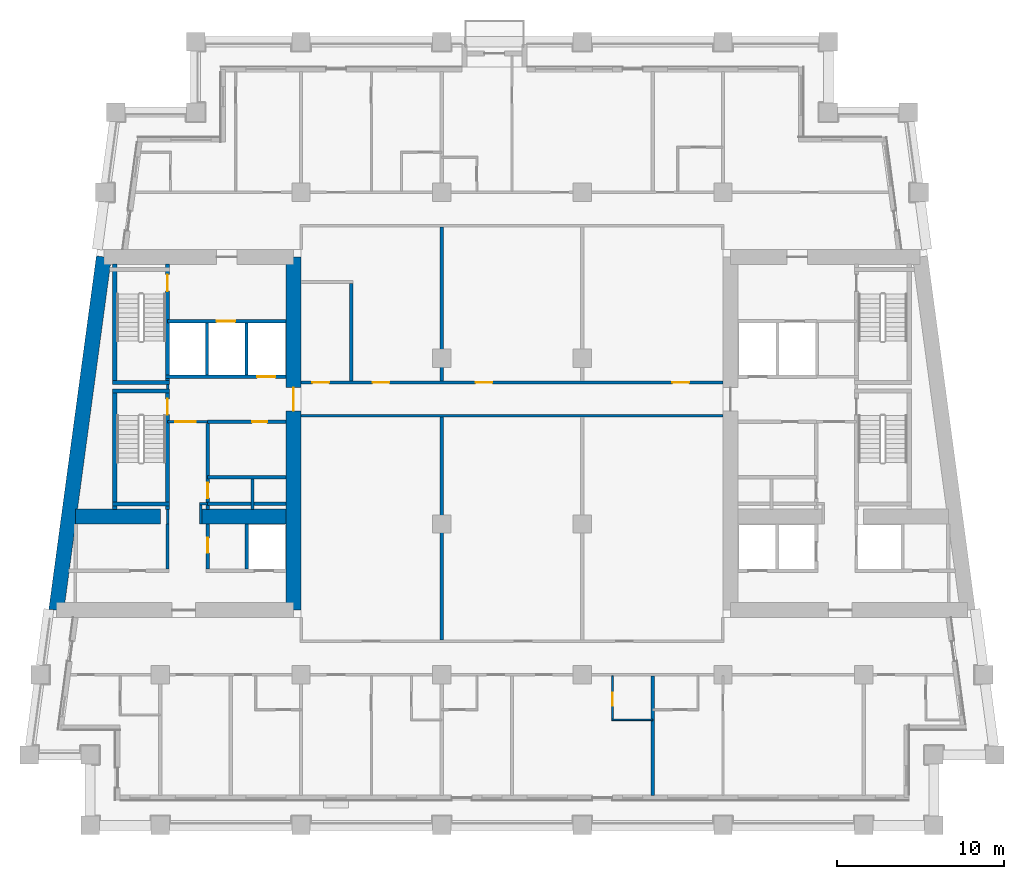
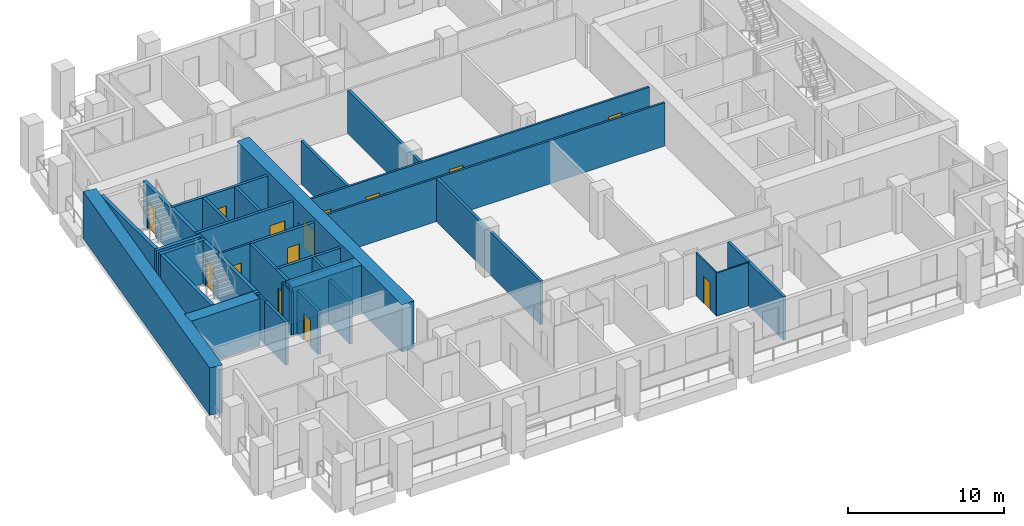
# One storey, part 4 of 13: 36 walls, 14 doors, 14 openings.
"""IFC4 building model written with IfcOpenShell, lengths in metres."""

from ifc_helpers import new_model, si_unit, direction, frame, frame_2d, origin, place, context, subcontext, project, spatial, rectangle, extrude, material, layer, layer_set, type_object, element, fill, save


model = new_model("IFC4")

# Units and contexts
model_context = context("Model", 3, precision=1e-05, world=origin(), true_north=direction((0.0, 1.0)))
body_context = subcontext(model_context, "Body", "Model", "MODEL_VIEW")
ifc_project = project(units=[si_unit("LENGTHUNIT", "METRE"), si_unit("AREAUNIT", "SQUARE_METRE"), si_unit("VOLUMEUNIT", "CUBIC_METRE"), si_unit("PLANEANGLEUNIT", "RADIAN"), si_unit("MASSUNIT", "GRAM", prefix="KILO")], contexts=[model_context])

# Site, building, storey
site_placement = place(None, origin())
site = spatial("IfcSite", under=ifc_project, at=site_placement, CompositionType="ELEMENT")
building_placement = place(site_placement, origin())
building = spatial("IfcBuilding", under=site, at=building_placement, Name="Candeia Pilgrim Tower and Theatre", CompositionType="ELEMENT")
storey_placement = place(building_placement, frame((0.0, 0.0, 170.0)))
storey = spatial("IfcBuildingStorey", under=building, at=storey_placement, Name="L40", CompositionType="ELEMENT", Elevation=170.0)

# Wall, opening, door
ifc_material_1 = material(Name="Concrete C60/75", Category="concrete")
ifc_layer_1 = layer(ifc_material_1, 0.89990234375)
ifc_layer_set_1 = layer_set([ifc_layer_1], Name="Core wall 900 C60/75")
wall_type_1 = type_object("IfcWallType", Name="Core wall 900 C60/75", PredefinedType="SHEAR", material=ifc_layer_set_1)
wall_1_placement = place(storey_placement, frame((100.35009765625, 131.949951171875, 0.0), z_axis=(0.0, 0.0, 1.0), x_axis=(0.0, -1.0, 0.0)))
wall_1 = element("IfcWall", 1, at=wall_1_placement, inside=storey, type_object=wall_type_1, Name="Core wall W2", PredefinedType="SHEAR", context=body_context, shape_type="SweptSolid", body=[
    extrude(rectangle(XDim=21.099853515625, YDim=0.89990234375, at=frame_2d((10.5498046875, 0.0))), origin(), (0.0, 0.0, 1.0), 3.699951171875),
])
opening_1_placement = place(wall_1_placement, frame((7.800048828125, 0.0, 0.0)))
opening_1 = element("IfcOpeningElement", 2, at=opening_1_placement, cuts=wall_1, Name="Opening L40-D052", PredefinedType="OPENING", context=body_context, shape_type="SweptSolid", body=[
    extrude(rectangle(XDim=1.39990234375, YDim=2.10009765625, at=frame_2d((0.699951171875, 1.050048828125))), frame((0.0, 0.4599609375, 0.0), z_axis=(0.0, -1.0, 0.0), x_axis=(1.0, 0.0, 0.0)), (0.0, 0.0, 1.0), 0.919921875),
])
ifc_material_2 = material(Name="Steel fire door set", Category="steel")
door_type_1 = type_object("IfcDoorType", Name="D-1400-FD60", OperationType="NOTDEFINED", PredefinedType="DOOR", material=ifc_material_2)
door_1_placement = place(opening_1_placement, origin())
door_1 = element("IfcDoor", 3, at=door_1_placement, inside=storey, type_object=door_type_1, Name="Door L40-D052", OperationType="SINGLE_SWING_RIGHT", OverallHeight=2.10009765625, OverallWidth=1.39990234375, PredefinedType="DOOR", context=body_context, shape_type="SweptSolid", body=[
    extrude(rectangle(XDim=1.39990234375, YDim=2.10009765625, at=frame_2d((0.699951171875, 1.050048828125))), frame((0.0, 0.02490234375, 0.0), z_axis=(0.0, -1.0, 0.0), x_axis=(1.0, 0.0, 0.0)), (0.0, 0.0, 1.0), 0.050048828125),
])
fill(opening_1, door_1)

# Walls
wall_2_placement = place(storey_placement, frame((86.183837890625, 110.85009765625, 0.0), z_axis=(0.0, 0.0, 1.0), x_axis=(0.133410495943, 0.991060865725, 0.0)))
element("IfcWall", 4, at=wall_2_placement, inside=storey, type_object=wall_type_1, Name="Core wall W4", PredefinedType="SHEAR", context=body_context, shape_type="SweptSolid", body=[
    extrude(rectangle(XDim=21.290283203125, YDim=0.89990234375, at=frame_2d((10.64501953125, 0.0))), origin(), (0.0, 0.0, 1.0), 3.699951171875),
])
wall_3_placement = place(storey_placement, frame((87.322998046875, 116.449951171875, 0.0), z_axis=(0.0, 0.0, 1.0), x_axis=(1.0, 0.0, 0.0)))
element("IfcWall", 5, at=wall_3_placement, inside=storey, type_object=wall_type_1, Name="Core wall W5", PredefinedType="SHEAR", context=body_context, shape_type="SweptSolid", body=[
    extrude(rectangle(XDim=5.076904296875, YDim=0.89990234375, at=frame_2d((2.53857421875, 0.0))), origin(), (0.0, 0.0, 1.0), 3.699951171875),
])
wall_4_placement = place(storey_placement, frame((94.800048828125, 116.449951171875, 0.0), z_axis=(0.0, 0.0, 1.0), x_axis=(1.0, 0.0, 0.0)))
element("IfcWall", 6, at=wall_4_placement, inside=storey, type_object=wall_type_1, Name="Core wall W6", PredefinedType="SHEAR", context=body_context, shape_type="SweptSolid", body=[
    extrude(rectangle(XDim=5.099853515625, YDim=0.89990234375, at=frame_2d((2.5498046875, 0.0))), origin(), (0.0, 0.0, 1.0), 3.699951171875),
])
ifc_material_3 = material(Name="Gypsum board partition on steel studs", Category="steel")
ifc_layer_2 = layer(ifc_material_3, 0.10009765625)
ifc_layer_set_2 = layer_set([ifc_layer_2], Name="PW-100 room partition")
wall_type_2 = type_object("IfcWallType", Name="PW-100 room partition", PredefinedType="PARTITIONING", material=ifc_layer_set_2)
wall_5_placement = place(storey_placement, frame((119.35009765625, 104.300048828125, 0.0), z_axis=(0.0, 0.0, 1.0), x_axis=(1.0, 0.0, 0.0)))
element("IfcWall", 7, at=wall_5_placement, inside=storey, type_object=wall_type_2, Name="Room partition L40-002", PredefinedType="PARTITIONING", context=body_context, shape_type="SweptSolid", body=[
    extrude(rectangle(XDim=2.449951171875, YDim=0.10009765625, at=frame_2d((1.22509765625, 0.0))), origin(), (0.0, 0.0, 1.0), 3.3798828125),
])

# Wall, opening, door
wall_6_placement = place(storey_placement, frame((119.39990234375, 104.35009765625, 0.0), z_axis=(0.0, 0.0, 1.0), x_axis=(0.0, 1.0, 0.0)))
wall_6 = element("IfcWall", 8, at=wall_6_placement, inside=storey, type_object=wall_type_2, Name="Room partition L40-088", PredefinedType="PARTITIONING", context=body_context, shape_type="SweptSolid", body=[
    extrude(rectangle(XDim=2.574951171875, YDim=0.10009765625, at=frame_2d((1.28759765625, 0.0))), origin(), (0.0, 0.0, 1.0), 3.3798828125),
])
opening_2_placement = place(wall_6_placement, frame((0.780029296875, 0.0, 0.0)))
opening_2 = element("IfcOpeningElement", 9, at=opening_2_placement, cuts=wall_6, Name="Opening L40-D025", PredefinedType="OPENING", context=body_context, shape_type="SweptSolid", body=[
    extrude(rectangle(XDim=0.800048828125, YDim=2.10009765625, at=frame_2d((0.39990234375, 1.050048828125))), frame((0.0, 0.06005859375, 0.0), z_axis=(0.0, -1.0, 0.0), x_axis=(1.0, 0.0, 0.0)), (0.0, 0.0, 1.0), 0.1201171875),
])
ifc_material_4 = material(Name="Timber door leaf", Category="wood")
door_type_2 = type_object("IfcDoorType", Name="D-800", OperationType="NOTDEFINED", PredefinedType="DOOR", material=ifc_material_4)
door_2_placement = place(opening_2_placement, origin())
door_2 = element("IfcDoor", 10, at=door_2_placement, inside=storey, type_object=door_type_2, Name="Door L40-D025", OperationType="SINGLE_SWING_LEFT", OverallHeight=2.10009765625, OverallWidth=0.800048828125, PredefinedType="DOOR", context=body_context, shape_type="SweptSolid", body=[
    extrude(rectangle(XDim=0.800048828125, YDim=2.10009765625, at=frame_2d((0.39990234375, 1.050048828125))), frame((0.0, 0.02490234375, 0.0), z_axis=(0.0, -1.0, 0.0), x_axis=(1.0, 0.0, 0.0)), (0.0, 0.0, 1.0), 0.050048828125),
])
fill(opening_2, door_2)

# Wall
ifc_layer_3 = layer(ifc_material_3, 0.14990234375)
ifc_layer_set_3 = layer_set([ifc_layer_3], Name="PW-150 lobby wall")
wall_type_3 = type_object("IfcWallType", Name="PW-150 lobby wall", PredefinedType="PARTITIONING", material=ifc_layer_set_3)
wall_7_placement = place(storey_placement, frame((94.72509765625, 117.199951171875, 0.0), z_axis=(0.0, 0.0, 1.0), x_axis=(1.0, 0.0, 0.0)))
element("IfcWall", 11, at=wall_7_placement, inside=storey, type_object=wall_type_3, Name="Lobby wall L40-016", PredefinedType="PARTITIONING", context=body_context, shape_type="SweptSolid", body=[
    extrude(rectangle(XDim=0.501953125, YDim=0.14990234375, at=frame_2d((0.2509765625, 0.0))), origin(), (0.0, 0.0, 1.0), 3.3798828125),
])

# Wall, opening, door
wall_8_placement = place(storey_placement, frame((92.826904296875, 122.10009765625, 0.0), z_axis=(0.0, 0.0, 1.0), x_axis=(1.0, 0.0, 0.0)))
wall_8 = element("IfcWall", 12, at=wall_8_placement, inside=storey, type_object=wall_type_3, Name="Lobby wall L40-024", PredefinedType="PARTITIONING", context=body_context, shape_type="SweptSolid", body=[
    extrude(rectangle(XDim=2.400146484375, YDim=0.14990234375, at=frame_2d((1.2001953125, 0.0))), origin(), (0.0, 0.0, 1.0), 3.3798828125),
])
opening_3_placement = place(wall_8_placement, frame((0.47509765625, 0.0, 0.0)))
opening_3 = element("IfcOpeningElement", 13, at=opening_3_placement, cuts=wall_8, Name="Opening L40-D001", PredefinedType="OPENING", context=body_context, shape_type="SweptSolid", body=[
    extrude(rectangle(XDim=1.199951171875, YDim=2.10009765625, at=frame_2d((0.60009765625, 1.050048828125))), frame((0.0, 0.0849609375, 0.0), z_axis=(0.0, -1.0, 0.0), x_axis=(1.0, 0.0, 0.0)), (0.0, 0.0, 1.0), 0.169921875),
])
door_type_3 = type_object("IfcDoorType", Name="D-1200-FD60", OperationType="NOTDEFINED", PredefinedType="DOOR", material=ifc_material_2)
door_3_placement = place(opening_3_placement, origin())
door_3 = element("IfcDoor", 14, at=door_3_placement, inside=storey, type_object=door_type_3, Name="Door L40-D001", OperationType="SINGLE_SWING_LEFT", OverallHeight=2.10009765625, OverallWidth=1.199951171875, PredefinedType="DOOR", context=body_context, shape_type="SweptSolid", body=[
    extrude(rectangle(XDim=1.199951171875, YDim=2.10009765625, at=frame_2d((0.60009765625, 1.050048828125))), frame((0.0, 0.02490234375, 0.0), z_axis=(0.0, -1.0, 0.0), x_axis=(1.0, 0.0, 0.0)), (0.0, 0.0, 1.0), 0.050048828125),
])
fill(opening_3, door_3)

# Walls
wall_9_placement = place(storey_placement, frame((92.826904296875, 116.0, 0.0), z_axis=(0.0, 0.0, 1.0), x_axis=(0.0, 1.0, 0.0)))
element("IfcWall", 15, at=wall_9_placement, inside=storey, type_object=wall_type_3, Name="Lobby wall L40-054", PredefinedType="PARTITIONING", context=body_context, shape_type="SweptSolid", body=[
    extrude(rectangle(XDim=0.8701171875, YDim=0.14990234375, at=frame_2d((0.43505859375, 0.0))), origin(), (0.0, 0.0, 1.0), 3.3798828125),
])
wall_10_placement = place(storey_placement, frame((92.826904296875, 124.074951171875, 0.0), z_axis=(0.0, 0.0, 1.0), x_axis=(0.0, 1.0, 0.0)))
element("IfcWall", 16, at=wall_10_placement, inside=storey, type_object=wall_type_3, Name="Lobby wall L40-055", PredefinedType="PARTITIONING", context=body_context, shape_type="SweptSolid", body=[
    extrude(rectangle(XDim=0.25, YDim=0.14990234375, at=frame_2d((0.125, 0.0))), origin(), (0.0, 0.0, 1.0), 3.3798828125),
])
wall_11_placement = place(storey_placement, frame((94.800048828125, 116.0, 0.0), z_axis=(0.0, 0.0, 1.0), x_axis=(0.0, 1.0, 0.0)))
element("IfcWall", 17, at=wall_11_placement, inside=storey, type_object=wall_type_3, Name="Lobby wall L40-059", PredefinedType="PARTITIONING", context=body_context, shape_type="SweptSolid", body=[
    extrude(rectangle(XDim=1.125, YDim=0.14990234375, at=frame_2d((0.5625, 0.0))), origin(), (0.0, 0.0, 1.0), 3.3798828125),
])
ifc_layer_4 = layer(ifc_material_3, 0.14990234375)
ifc_layer_set_4 = layer_set([ifc_layer_4], Name="PW-150 unit wall")
wall_type_4 = type_object("IfcWallType", Name="PW-150 unit wall", PredefinedType="PARTITIONING", material=ifc_layer_set_4)
wall_12_placement = place(storey_placement, frame((100.800048828125, 122.449951171875, 0.0), z_axis=(0.0, 0.0, 1.0), x_axis=(1.0, 0.0, 0.0)))
element("IfcWall", 18, at=wall_12_placement, inside=storey, type_object=wall_type_4, Name="Unit wall L40-026", PredefinedType="PARTITIONING", context=body_context, shape_type="SweptSolid", body=[
    extrude(rectangle(XDim=25.199951171875, YDim=0.14990234375, at=frame_2d((12.60009765625, 0.0))), origin(), (0.0, 0.0, 1.0), 3.3798828125),
])

# Wall, openings, doors
wall_13_placement = place(storey_placement, frame((100.800048828125, 124.449951171875, 0.0), z_axis=(0.0, 0.0, 1.0), x_axis=(1.0, 0.0, 0.0)))
wall_13 = element("IfcWall", 19, at=wall_13_placement, inside=storey, type_object=wall_type_4, Name="Unit wall L40-031", PredefinedType="PARTITIONING", context=body_context, shape_type="SweptSolid", body=[
    extrude(rectangle(XDim=25.199951171875, YDim=0.14990234375, at=frame_2d((12.60009765625, 0.0))), origin(), (0.0, 0.0, 1.0), 3.3798828125),
])
opening_4_placement = place(wall_13_placement, frame((4.27490234375, 0.0, 0.0)))
opening_4 = element("IfcOpeningElement", 20, at=opening_4_placement, cuts=wall_13, Name="Opening L40-D043", PredefinedType="OPENING", context=body_context, shape_type="SweptSolid", body=[
    extrude(rectangle(XDim=1.0, YDim=2.10009765625, at=frame_2d((0.5, 1.050048828125))), frame((0.0, 0.0849609375, 0.0), z_axis=(0.0, -1.0, 0.0), x_axis=(1.0, 0.0, 0.0)), (0.0, 0.0, 1.0), 0.169921875),
])
opening_5_placement = place(wall_13_placement, frame((0.675048828125, 0.0, 0.0)))
opening_5 = element("IfcOpeningElement", 21, at=opening_5_placement, cuts=wall_13, Name="Opening L40-D047", PredefinedType="OPENING", context=body_context, shape_type="SweptSolid", body=[
    extrude(rectangle(XDim=1.0, YDim=2.10009765625, at=frame_2d((0.5, 1.050048828125))), frame((0.0, 0.0849609375, 0.0), z_axis=(0.0, -1.0, 0.0), x_axis=(1.0, 0.0, 0.0)), (0.0, 0.0, 1.0), 0.169921875),
])
opening_6_placement = place(wall_13_placement, frame((10.425048828125, 0.0, 0.0)))
opening_6 = element("IfcOpeningElement", 22, at=opening_6_placement, cuts=wall_13, Name="Opening L40-D048", PredefinedType="OPENING", context=body_context, shape_type="SweptSolid", body=[
    extrude(rectangle(XDim=1.0, YDim=2.10009765625, at=frame_2d((0.5, 1.050048828125))), frame((0.0, 0.0849609375, 0.0), z_axis=(0.0, -1.0, 0.0), x_axis=(1.0, 0.0, 0.0)), (0.0, 0.0, 1.0), 0.169921875),
])
opening_7_placement = place(wall_13_placement, frame((22.175048828125, 0.0, 0.0)))
opening_7 = element("IfcOpeningElement", 23, at=opening_7_placement, cuts=wall_13, Name="Opening L40-D049", PredefinedType="OPENING", context=body_context, shape_type="SweptSolid", body=[
    extrude(rectangle(XDim=1.0, YDim=2.10009765625, at=frame_2d((0.5, 1.050048828125))), frame((0.0, 0.0849609375, 0.0), z_axis=(0.0, -1.0, 0.0), x_axis=(1.0, 0.0, 0.0)), (0.0, 0.0, 1.0), 0.169921875),
])
door_type_4 = type_object("IfcDoorType", Name="D-1000-FD30S", OperationType="NOTDEFINED", PredefinedType="DOOR", material=ifc_material_2)
door_4_placement = place(opening_4_placement, origin())
door_4 = element("IfcDoor", 24, at=door_4_placement, inside=storey, type_object=door_type_4, Name="Door L40-D043", OperationType="SINGLE_SWING_LEFT", OverallHeight=2.10009765625, OverallWidth=1.0, PredefinedType="DOOR", context=body_context, shape_type="SweptSolid", body=[
    extrude(rectangle(XDim=1.0, YDim=2.10009765625, at=frame_2d((0.5, 1.050048828125))), frame((0.0, 0.02490234375, 0.0), z_axis=(0.0, -1.0, 0.0), x_axis=(1.0, 0.0, 0.0)), (0.0, 0.0, 1.0), 0.050048828125),
])
fill(opening_4, door_4)
door_5_placement = place(opening_5_placement, origin())
door_5 = element("IfcDoor", 25, at=door_5_placement, inside=storey, type_object=door_type_4, Name="Door L40-D047", OperationType="SINGLE_SWING_LEFT", OverallHeight=2.10009765625, OverallWidth=1.0, PredefinedType="DOOR", context=body_context, shape_type="SweptSolid", body=[
    extrude(rectangle(XDim=1.0, YDim=2.10009765625, at=frame_2d((0.5, 1.050048828125))), frame((0.0, 0.02490234375, 0.0), z_axis=(0.0, -1.0, 0.0), x_axis=(1.0, 0.0, 0.0)), (0.0, 0.0, 1.0), 0.050048828125),
])
fill(opening_5, door_5)
door_6_placement = place(opening_6_placement, origin())
door_6 = element("IfcDoor", 26, at=door_6_placement, inside=storey, type_object=door_type_4, Name="Door L40-D048", OperationType="SINGLE_SWING_RIGHT", OverallHeight=2.10009765625, OverallWidth=1.0, PredefinedType="DOOR", context=body_context, shape_type="SweptSolid", body=[
    extrude(rectangle(XDim=1.0, YDim=2.10009765625, at=frame_2d((0.5, 1.050048828125))), frame((0.0, 0.02490234375, 0.0), z_axis=(0.0, -1.0, 0.0), x_axis=(1.0, 0.0, 0.0)), (0.0, 0.0, 1.0), 0.050048828125),
])
fill(opening_6, door_6)
door_7_placement = place(opening_7_placement, origin())
door_7 = element("IfcDoor", 27, at=door_7_placement, inside=storey, type_object=door_type_4, Name="Door L40-D049", OperationType="SINGLE_SWING_LEFT", OverallHeight=2.10009765625, OverallWidth=1.0, PredefinedType="DOOR", context=body_context, shape_type="SweptSolid", body=[
    extrude(rectangle(XDim=1.0, YDim=2.10009765625, at=frame_2d((0.5, 1.050048828125))), frame((0.0, 0.02490234375, 0.0), z_axis=(0.0, -1.0, 0.0), x_axis=(1.0, 0.0, 0.0)), (0.0, 0.0, 1.0), 0.050048828125),
])
fill(opening_7, door_7)

# Walls
ifc_layer_5 = layer(ifc_material_3, 0.199951171875)
ifc_layer_set_5 = layer_set([ifc_layer_5], Name="PW-200 party wall")
wall_type_5 = type_object("IfcWallType", Name="PW-200 party wall", PredefinedType="PARTITIONING", material=ifc_layer_set_5)
wall_14_placement = place(storey_placement, frame((103.800048828125, 124.52490234375, 0.0), z_axis=(0.0, 0.0, 1.0), x_axis=(0.0, 1.0, 0.0)))
element("IfcWall", 28, at=wall_14_placement, inside=storey, type_object=wall_type_5, Name="Party wall L40-073", PredefinedType="PARTITIONING", context=body_context, shape_type="SweptSolid", body=[
    extrude(rectangle(XDim=5.8251953125, YDim=0.199951171875, at=frame_2d((2.91259765625, 0.0))), origin(), (0.0, 0.0, 1.0), 3.3798828125),
])
wall_15_placement = place(storey_placement, frame((109.199951171875, 109.074951171875, 0.0), z_axis=(0.0, 0.0, 1.0), x_axis=(0.0, 1.0, 0.0)))
element("IfcWall", 29, at=wall_15_placement, inside=storey, type_object=wall_type_5, Name="Party wall L40-079", PredefinedType="PARTITIONING", context=body_context, shape_type="SweptSolid", body=[
    extrude(rectangle(XDim=13.300048828125, YDim=0.199951171875, at=frame_2d((6.64990234375, 0.0))), origin(), (0.0, 0.0, 1.0), 3.3798828125),
])
wall_16_placement = place(storey_placement, frame((109.199951171875, 124.52490234375, 0.0), z_axis=(0.0, 0.0, 1.0), x_axis=(0.0, 1.0, 0.0)))
element("IfcWall", 30, at=wall_16_placement, inside=storey, type_object=wall_type_5, Name="Party wall L40-080", PredefinedType="PARTITIONING", context=body_context, shape_type="SweptSolid", body=[
    extrude(rectangle(XDim=9.2001953125, YDim=0.199951171875, at=frame_2d((4.60009765625, 0.0))), origin(), (0.0, 0.0, 1.0), 3.3798828125),
])
wall_17_placement = place(storey_placement, frame((121.800048828125, 99.7900390625, 0.0), z_axis=(0.0, 0.0, 1.0), x_axis=(0.0, 1.0, 0.0)))
element("IfcWall", 31, at=wall_17_placement, inside=storey, type_object=wall_type_5, Name="Party wall L40-089", PredefinedType="PARTITIONING", context=body_context, shape_type="SweptSolid", body=[
    extrude(rectangle(XDim=7.135009765625, YDim=0.199951171875, at=frame_2d((3.5673828125, 0.0))), origin(), (0.0, 0.0, 1.0), 3.3798828125),
])
ifc_material_5 = material(Name="Concrete C40/50", Category="concrete")
ifc_layer_6 = layer(ifc_material_5, 0.199951171875)
ifc_layer_set_6 = layer_set([ifc_layer_6], Name="SW-200 shaft wall")
wall_type_6 = type_object("IfcWallType", Name="SW-200 shaft wall", PredefinedType="PARTITIONING", material=ifc_layer_set_6)
for number, where, z_axis, x_axis, name in (
    (32, (95.22705078125, 117.199951171875, 0.0), (0.0, 0.0, 1.0), (1.0, 0.0, 0.0), "Shaft wall L40-014"),
    (33, (95.22705078125, 118.800048828125, 0.0), (0.0, 0.0, 1.0), (1.0, 0.0, 0.0), "Shaft wall L40-020"),
):
    element("IfcWall", number, at=place(storey_placement, frame(where, z_axis=z_axis, x_axis=x_axis)), inside=storey, type_object=wall_type_6, Name=name, PredefinedType="PARTITIONING", context=body_context, shape_type="SweptSolid", body=[
        extrude(rectangle(XDim=4.6728515625, YDim=0.199951171875, at=frame_2d((2.33642578125, 0.0))), origin(), (0.0, 0.0, 1.0), 3.3798828125),
    ])

# Wall, opening, door
wall_18_placement = place(storey_placement, frame((95.22705078125, 122.10009765625, 0.0), z_axis=(0.0, 0.0, 1.0), x_axis=(1.0, 0.0, 0.0)))
wall_18 = element("IfcWall", 34, at=wall_18_placement, inside=storey, type_object=wall_type_6, Name="Shaft wall L40-022", PredefinedType="PARTITIONING", context=body_context, shape_type="SweptSolid", body=[
    extrude(rectangle(XDim=4.6728515625, YDim=0.199951171875, at=frame_2d((2.33642578125, 0.0))), origin(), (0.0, 0.0, 1.0), 3.3798828125),
])
opening_8_placement = place(wall_18_placement, frame((2.655029296875, 0.0, 0.0)))
opening_8 = element("IfcOpeningElement", 35, at=opening_8_placement, cuts=wall_18, Name="Opening L40-D002", PredefinedType="OPENING", context=body_context, shape_type="SweptSolid", body=[
    extrude(rectangle(XDim=0.89990234375, YDim=2.10009765625, at=frame_2d((0.449951171875, 1.050048828125))), frame((0.0, 0.10986328125, 0.0), z_axis=(0.0, -1.0, 0.0), x_axis=(1.0, 0.0, 0.0)), (0.0, 0.0, 1.0), 0.219970703125),
])
door_type_5 = type_object("IfcDoorType", Name="D-900-FD60", OperationType="NOTDEFINED", PredefinedType="DOOR", material=ifc_material_2)
door_8_placement = place(opening_8_placement, origin())
door_8 = element("IfcDoor", 36, at=door_8_placement, inside=storey, type_object=door_type_5, Name="Door L40-D002", OperationType="SINGLE_SWING_RIGHT", OverallHeight=2.10009765625, OverallWidth=0.89990234375, PredefinedType="DOOR", context=body_context, shape_type="SweptSolid", body=[
    extrude(rectangle(XDim=0.89990234375, YDim=2.10009765625, at=frame_2d((0.449951171875, 1.050048828125))), frame((0.0, 0.02490234375, 0.0), z_axis=(0.0, -1.0, 0.0), x_axis=(1.0, 0.0, 0.0)), (0.0, 0.0, 1.0), 0.050048828125),
])
fill(opening_8, door_8)

wall_19_placement = place(storey_placement, frame((92.701904296875, 124.800048828125, 0.0), z_axis=(0.0, 0.0, 1.0), x_axis=(1.0, 0.0, 0.0)))
wall_19 = element("IfcWall", 37, at=wall_19_placement, inside=storey, type_object=wall_type_6, Name="Shaft wall L40-032", PredefinedType="PARTITIONING", context=body_context, shape_type="SweptSolid", body=[
    extrude(rectangle(XDim=7.197998046875, YDim=0.199951171875, at=frame_2d((3.59912109375, 0.0))), origin(), (0.0, 0.0, 1.0), 3.3798828125),
])
opening_9_placement = place(wall_19_placement, frame((5.468994140625, 0.0, 0.0)))
opening_9 = element("IfcOpeningElement", 38, at=opening_9_placement, cuts=wall_19, Name="Opening L40-LD02", PredefinedType="OPENING", context=body_context, shape_type="SweptSolid", body=[
    extrude(rectangle(XDim=1.10009765625, YDim=2.10009765625, at=frame_2d((0.550048828125, 1.050048828125))), frame((0.0, 0.10986328125, 0.0), z_axis=(0.0, -1.0, 0.0), x_axis=(1.0, 0.0, 0.0)), (0.0, 0.0, 1.0), 0.219970703125),
])
ifc_material_6 = material(Name="Glazed aluminium landing door", Category="aluminium")
door_type_6 = type_object("IfcDoorType", Name="LD-1100-EI120", OperationType="SLIDING_TO_LEFT", PredefinedType="DOOR", material=ifc_material_6)
door_9_placement = place(opening_9_placement, origin())
door_9 = element("IfcDoor", 39, at=door_9_placement, inside=storey, type_object=door_type_6, Name="Landing door 02 L40", OperationType="SLIDING_TO_LEFT", OverallHeight=2.10009765625, OverallWidth=1.10009765625, PredefinedType="DOOR", context=body_context, shape_type="SweptSolid", body=[
    extrude(rectangle(XDim=1.10009765625, YDim=2.10009765625, at=frame_2d((0.550048828125, 1.050048828125))), frame((0.0, 0.02490234375, 0.0), z_axis=(0.0, -1.0, 0.0), x_axis=(1.0, 0.0, 0.0)), (0.0, 0.0, 1.0), 0.050048828125),
])
fill(opening_9, door_9)

wall_20_placement = place(storey_placement, frame((92.826904296875, 128.10009765625, 0.0), z_axis=(0.0, 0.0, 1.0), x_axis=(1.0, 0.0, 0.0)))
wall_20 = element("IfcWall", 40, at=wall_20_placement, inside=storey, type_object=wall_type_6, Name="Shaft wall L40-035", PredefinedType="PARTITIONING", context=body_context, shape_type="SweptSolid", body=[
    extrude(rectangle(XDim=7.072998046875, YDim=0.199951171875, at=frame_2d((3.53662109375, 0.0))), origin(), (0.0, 0.0, 1.0), 3.3798828125),
])
opening_10_placement = place(wall_20_placement, frame((2.930908203125, 0.0, 0.0)))
opening_10 = element("IfcOpeningElement", 41, at=opening_10_placement, cuts=wall_20, Name="Opening L40-LD01", PredefinedType="OPENING", context=body_context, shape_type="SweptSolid", body=[
    extrude(rectangle(XDim=1.10009765625, YDim=2.10009765625, at=frame_2d((0.550048828125, 1.050048828125))), frame((0.0, 0.10986328125, 0.0), z_axis=(0.0, -1.0, 0.0), x_axis=(1.0, 0.0, 0.0)), (0.0, 0.0, 1.0), 0.219970703125),
])
door_10_placement = place(opening_10_placement, origin())
door_10 = element("IfcDoor", 42, at=door_10_placement, inside=storey, type_object=door_type_6, Name="Landing door 01 L40", OperationType="SLIDING_TO_LEFT", OverallHeight=2.10009765625, OverallWidth=1.10009765625, PredefinedType="DOOR", context=body_context, shape_type="SweptSolid", body=[
    extrude(rectangle(XDim=1.10009765625, YDim=2.10009765625, at=frame_2d((0.550048828125, 1.050048828125))), frame((0.0, 0.02490234375, 0.0), z_axis=(0.0, -1.0, 0.0), x_axis=(1.0, 0.0, 0.0)), (0.0, 0.0, 1.0), 0.050048828125),
])
fill(opening_10, door_10)

# Walls
wall_21_placement = place(storey_placement, frame((92.826904296875, 113.300048828125, 0.0), z_axis=(0.0, 0.0, 1.0), x_axis=(0.0, 1.0, 0.0)))
element("IfcWall", 43, at=wall_21_placement, inside=storey, type_object=wall_type_6, Name="Shaft wall L40-053", PredefinedType="PARTITIONING", context=body_context, shape_type="SweptSolid", body=[
    extrude(rectangle(XDim=2.699951171875, YDim=0.199951171875, at=frame_2d((1.35009765625, 0.0))), origin(), (0.0, 0.0, 1.0), 3.3798828125),
])
wall_22_placement = place(storey_placement, frame((95.184814453125, 124.89990234375, 0.0), z_axis=(0.0, 0.0, 1.0), x_axis=(0.0, 1.0, 0.0)))
element("IfcWall", 44, at=wall_22_placement, inside=storey, type_object=wall_type_6, Name="Shaft wall L40-060", PredefinedType="PARTITIONING", context=body_context, shape_type="SweptSolid", body=[
    extrude(rectangle(XDim=3.10009765625, YDim=0.199951171875, at=frame_2d((1.550048828125, 0.0))), origin(), (0.0, 0.0, 1.0), 3.3798828125),
])

# Wall, opening, door
wall_23_placement = place(storey_placement, frame((95.22705078125, 113.300048828125, 0.0), z_axis=(0.0, 0.0, 1.0), x_axis=(0.0, 1.0, 0.0)))
wall_23 = element("IfcWall", 45, at=wall_23_placement, inside=storey, type_object=wall_type_6, Name="Shaft wall L40-061", PredefinedType="PARTITIONING", context=body_context, shape_type="SweptSolid", body=[
    extrude(rectangle(XDim=2.699951171875, YDim=0.199951171875, at=frame_2d((1.35009765625, 0.0))), origin(), (0.0, 0.0, 1.0), 3.3798828125),
])
opening_11_placement = place(wall_23_placement, frame((0.969970703125, 0.0, 0.0)))
opening_11 = element("IfcOpeningElement", 46, at=opening_11_placement, cuts=wall_23, Name="Opening L40-D007", PredefinedType="OPENING", context=body_context, shape_type="SweptSolid", body=[
    extrude(rectangle(XDim=0.89990234375, YDim=2.10009765625, at=frame_2d((0.449951171875, 1.050048828125))), frame((0.0, 0.10986328125, 0.0), z_axis=(0.0, -1.0, 0.0), x_axis=(1.0, 0.0, 0.0)), (0.0, 0.0, 1.0), 0.219970703125),
])
door_11_placement = place(opening_11_placement, origin())
door_11 = element("IfcDoor", 47, at=door_11_placement, inside=storey, type_object=door_type_5, Name="Door L40-D007", OperationType="SINGLE_SWING_RIGHT", OverallHeight=2.10009765625, OverallWidth=0.89990234375, PredefinedType="DOOR", context=body_context, shape_type="SweptSolid", body=[
    extrude(rectangle(XDim=0.89990234375, YDim=2.10009765625, at=frame_2d((0.449951171875, 1.050048828125))), frame((0.0, 0.02490234375, 0.0), z_axis=(0.0, -1.0, 0.0), x_axis=(1.0, 0.0, 0.0)), (0.0, 0.0, 1.0), 0.050048828125),
])
fill(opening_11, door_11)

wall_24_placement = place(storey_placement, frame((95.22705078125, 116.8701171875, 0.0), z_axis=(0.0, 0.0, 1.0), x_axis=(0.0, 1.0, 0.0)))
wall_24 = element("IfcWall", 48, at=wall_24_placement, inside=storey, type_object=wall_type_6, Name="Shaft wall L40-062", PredefinedType="PARTITIONING", context=body_context, shape_type="SweptSolid", body=[
    extrude(rectangle(XDim=5.1298828125, YDim=0.199951171875, at=frame_2d((2.56494140625, 0.0))), origin(), (0.0, 0.0, 1.0), 3.3798828125),
])
opening_12_placement = place(wall_24_placement, frame((0.679931640625, 0.0, 0.0)))
opening_12 = element("IfcOpeningElement", 49, at=opening_12_placement, cuts=wall_24, Name="Opening L40-D005", PredefinedType="OPENING", context=body_context, shape_type="SweptSolid", body=[
    extrude(rectangle(XDim=0.89990234375, YDim=2.10009765625, at=frame_2d((0.449951171875, 1.050048828125))), frame((0.0, 0.10986328125, 0.0), z_axis=(0.0, -1.0, 0.0), x_axis=(1.0, 0.0, 0.0)), (0.0, 0.0, 1.0), 0.219970703125),
])
door_12_placement = place(opening_12_placement, origin())
door_12 = element("IfcDoor", 50, at=door_12_placement, inside=storey, type_object=door_type_5, Name="Door L40-D005", OperationType="SINGLE_SWING_LEFT", OverallHeight=2.10009765625, OverallWidth=0.89990234375, PredefinedType="DOOR", context=body_context, shape_type="SweptSolid", body=[
    extrude(rectangle(XDim=0.89990234375, YDim=2.10009765625, at=frame_2d((0.449951171875, 1.050048828125))), frame((0.0, 0.02490234375, 0.0), z_axis=(0.0, -1.0, 0.0), x_axis=(1.0, 0.0, 0.0)), (0.0, 0.0, 1.0), 0.050048828125),
])
fill(opening_12, door_12)

# Walls
wall_25_placement = place(storey_placement, frame((97.542236328125, 124.89990234375, 0.0), z_axis=(0.0, 0.0, 1.0), x_axis=(0.0, 1.0, 0.0)))
element("IfcWall", 51, at=wall_25_placement, inside=storey, type_object=wall_type_6, Name="Shaft wall L40-065", PredefinedType="PARTITIONING", context=body_context, shape_type="SweptSolid", body=[
    extrude(rectangle(XDim=3.10009765625, YDim=0.199951171875, at=frame_2d((1.550048828125, 0.0))), origin(), (0.0, 0.0, 1.0), 3.3798828125),
])
wall_26_placement = place(storey_placement, frame((97.5634765625, 113.300048828125, 0.0), z_axis=(0.0, 0.0, 1.0), x_axis=(0.0, 1.0, 0.0)))
element("IfcWall", 52, at=wall_26_placement, inside=storey, type_object=wall_type_6, Name="Shaft wall L40-066", PredefinedType="PARTITIONING", context=body_context, shape_type="SweptSolid", body=[
    extrude(rectangle(XDim=2.699951171875, YDim=0.199951171875, at=frame_2d((1.35009765625, 0.0))), origin(), (0.0, 0.0, 1.0), 3.3798828125),
])
wall_27_placement = place(storey_placement, frame((97.89990234375, 116.8701171875, 0.0), z_axis=(0.0, 0.0, 1.0), x_axis=(0.0, 1.0, 0.0)))
element("IfcWall", 53, at=wall_27_placement, inside=storey, type_object=wall_type_6, Name="Shaft wall L40-067", PredefinedType="PARTITIONING", context=body_context, shape_type="SweptSolid", body=[
    extrude(rectangle(XDim=1.829833984375, YDim=0.199951171875, at=frame_2d((0.9150390625, 0.0))), origin(), (0.0, 0.0, 1.0), 3.3798828125),
])
ifc_layer_7 = layer(ifc_material_5, 0.25)
ifc_layer_set_7 = layer_set([ifc_layer_7], Name="SW-250 stair wall")
wall_type_7 = type_object("IfcWallType", Name="SW-250 stair wall", PredefinedType="PARTITIONING", material=ifc_layer_set_7)
for number, where, z_axis, x_axis, name in (
    (54, (89.552001953125, 117.199951171875, 0.0), (0.0, 0.0, 1.0), (1.0, 0.0, 0.0), "Stair wall L40-018"),
    (55, (89.552001953125, 123.949951171875, 0.0), (0.0, 0.0, 1.0), (1.0, 0.0, 0.0), "Stair wall L40-027"),
    (56, (89.552001953125, 124.449951171875, 0.0), (0.0, 0.0, 1.0), (1.0, 0.0, 0.0), "Stair wall L40-029"),
):
    element("IfcWall", number, at=place(storey_placement, frame(where, z_axis=z_axis, x_axis=x_axis)), inside=storey, type_object=wall_type_7, Name=name, PredefinedType="PARTITIONING", context=body_context, shape_type="SweptSolid", body=[
        extrude(rectangle(XDim=3.39990234375, YDim=0.25, at=frame_2d((1.699951171875, 0.0))), origin(), (0.0, 0.0, 1.0), 3.3798828125),
    ])
wall_28_placement = place(storey_placement, frame((89.677001953125, 116.8701171875, 0.0), z_axis=(0.0, 0.0, 1.0), x_axis=(0.0, 1.0, 0.0)))
element("IfcWall", 57, at=wall_28_placement, inside=storey, type_object=wall_type_7, Name="Stair wall L40-049", PredefinedType="PARTITIONING", context=body_context, shape_type="SweptSolid", body=[
    extrude(rectangle(XDim=6.954833984375, YDim=0.25, at=frame_2d((3.4775390625, 0.0))), origin(), (0.0, 0.0, 1.0), 3.3798828125),
])
wall_29_placement = place(storey_placement, frame((89.677001953125, 124.574951171875, 0.0), z_axis=(0.0, 0.0, 1.0), x_axis=(0.0, 1.0, 0.0)))
element("IfcWall", 58, at=wall_29_placement, inside=storey, type_object=wall_type_7, Name="Stair wall L40-050", PredefinedType="PARTITIONING", context=body_context, shape_type="SweptSolid", body=[
    extrude(rectangle(XDim=6.955078125, YDim=0.25, at=frame_2d((3.4775390625, 0.0))), origin(), (0.0, 0.0, 1.0), 3.3798828125),
])

# Wall, opening, door
wall_30_placement = place(storey_placement, frame((92.826904296875, 116.8701171875, 0.0), z_axis=(0.0, 0.0, 1.0), x_axis=(0.0, 1.0, 0.0)))
wall_30 = element("IfcWall", 59, at=wall_30_placement, inside=storey, type_object=wall_type_7, Name="Stair wall L40-056", PredefinedType="PARTITIONING", context=body_context, shape_type="SweptSolid", body=[
    extrude(rectangle(XDim=6.954833984375, YDim=0.25, at=frame_2d((3.4775390625, 0.0))), origin(), (0.0, 0.0, 1.0), 3.3798828125),
])
opening_13_placement = place(wall_30_placement, frame((5.655029296875, 0.0, 0.0)))
opening_13 = element("IfcOpeningElement", 60, at=opening_13_placement, cuts=wall_30, Name="Opening L40-D003", PredefinedType="OPENING", context=body_context, shape_type="SweptSolid", body=[
    extrude(rectangle(XDim=0.949951171875, YDim=2.10009765625, at=frame_2d((0.47509765625, 1.050048828125))), frame((0.0, 0.135009765625, 0.0), z_axis=(0.0, -1.0, 0.0), x_axis=(1.0, 0.0, 0.0)), (0.0, 0.0, 1.0), 0.27001953125),
])
door_type_7 = type_object("IfcDoorType", Name="D-950-FD60", OperationType="NOTDEFINED", PredefinedType="DOOR", material=ifc_material_2)
door_13_placement = place(opening_13_placement, origin())
door_13 = element("IfcDoor", 61, at=door_13_placement, inside=storey, type_object=door_type_7, Name="Door L40-D003", OperationType="SINGLE_SWING_LEFT", OverallHeight=2.10009765625, OverallWidth=0.949951171875, PredefinedType="DOOR", context=body_context, shape_type="SweptSolid", body=[
    extrude(rectangle(XDim=0.949951171875, YDim=2.10009765625, at=frame_2d((0.47509765625, 1.050048828125))), frame((0.0, 0.02490234375, 0.0), z_axis=(0.0, -1.0, 0.0), x_axis=(1.0, 0.0, 0.0)), (0.0, 0.0, 1.0), 0.050048828125),
])
fill(opening_13, door_13)

wall_31_placement = place(storey_placement, frame((92.826904296875, 124.574951171875, 0.0), z_axis=(0.0, 0.0, 1.0), x_axis=(0.0, 1.0, 0.0)))
wall_31 = element("IfcWall", 62, at=wall_31_placement, inside=storey, type_object=wall_type_7, Name="Stair wall L40-057", PredefinedType="PARTITIONING", context=body_context, shape_type="SweptSolid", body=[
    extrude(rectangle(XDim=6.955078125, YDim=0.25, at=frame_2d((3.4775390625, 0.0))), origin(), (0.0, 0.0, 1.0), 3.3798828125),
])
opening_14_placement = place(wall_31_placement, frame((5.324951171875, 0.0, 0.0)))
opening_14 = element("IfcOpeningElement", 63, at=opening_14_placement, cuts=wall_31, Name="Opening L40-D004", PredefinedType="OPENING", context=body_context, shape_type="SweptSolid", body=[
    extrude(rectangle(XDim=1.0, YDim=2.10009765625, at=frame_2d((0.5, 1.050048828125))), frame((0.0, 0.135009765625, 0.0), z_axis=(0.0, -1.0, 0.0), x_axis=(1.0, 0.0, 0.0)), (0.0, 0.0, 1.0), 0.27001953125),
])
door_type_8 = type_object("IfcDoorType", Name="D-1000-FD60", OperationType="NOTDEFINED", PredefinedType="DOOR", material=ifc_material_2)
door_14_placement = place(opening_14_placement, origin())
door_14 = element("IfcDoor", 64, at=door_14_placement, inside=storey, type_object=door_type_8, Name="Door L40-D004", OperationType="SINGLE_SWING_RIGHT", OverallHeight=2.10009765625, OverallWidth=1.0, PredefinedType="DOOR", context=body_context, shape_type="SweptSolid", body=[
    extrude(rectangle(XDim=1.0, YDim=2.10009765625, at=frame_2d((0.5, 1.050048828125))), frame((0.0, 0.02490234375, 0.0), z_axis=(0.0, -1.0, 0.0), x_axis=(1.0, 0.0, 0.0)), (0.0, 0.0, 1.0), 0.050048828125),
])
fill(opening_14, door_14)

save(model, "model.ifc")
